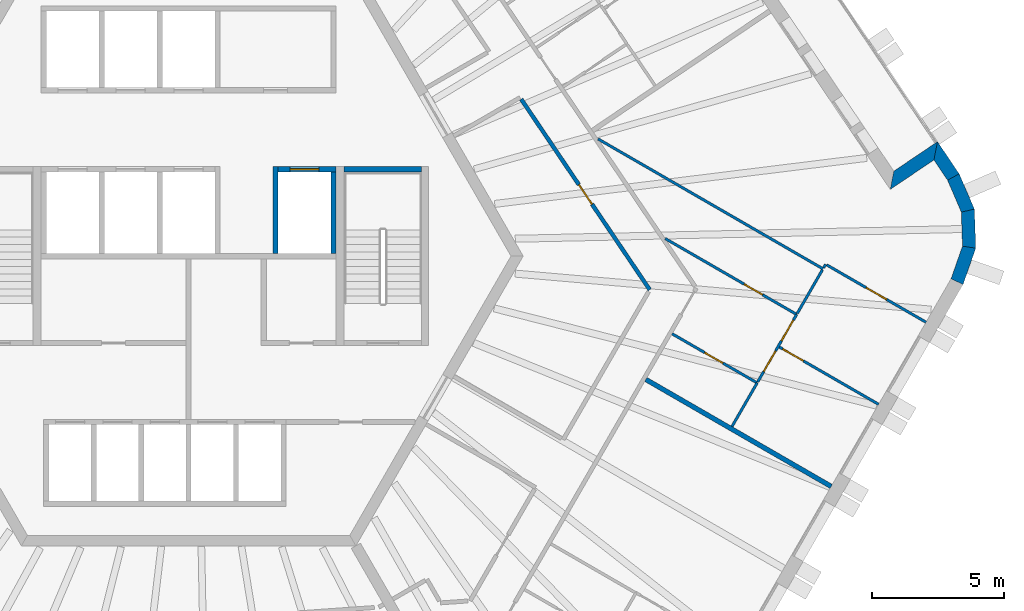
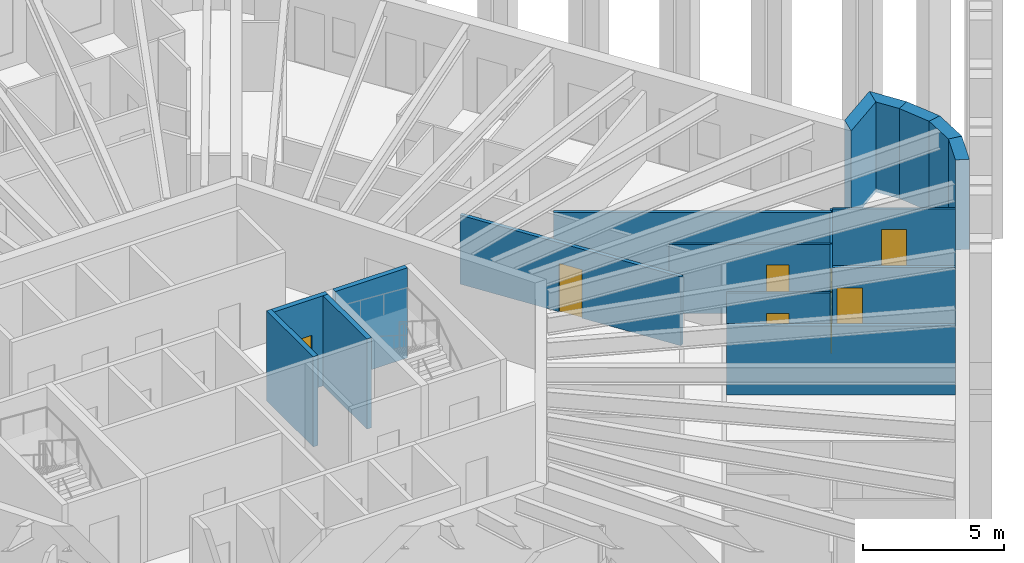
# One storey, part 7 of 13: 20 walls, 8 doors, 8 openings.
"""IFC4 building model written with IfcOpenShell, lengths in metres."""

from ifc_helpers import new_model, si_unit, direction, frame, frame_2d, origin, place, context, subcontext, project, spatial, polyline, rectangle, outline, extrude, material, layer, layer_set, type_object, element, fill, save


model = new_model("IFC4")

# Units and contexts
model_context = context("Model", 3, precision=1e-05, world=origin(), true_north=direction((0.0, 1.0)))
body_context = subcontext(model_context, "Body", "Model", "MODEL_VIEW")
ifc_project = project(units=[si_unit("LENGTHUNIT", "METRE"), si_unit("AREAUNIT", "SQUARE_METRE"), si_unit("VOLUMEUNIT", "CUBIC_METRE"), si_unit("PLANEANGLEUNIT", "RADIAN"), si_unit("MASSUNIT", "GRAM", prefix="KILO")], contexts=[model_context])

# Site, building, storey
site_placement = place(None, origin())
site = spatial("IfcSite", under=ifc_project, at=site_placement, CompositionType="ELEMENT")
building_placement = place(site_placement, origin())
building = spatial("IfcBuilding", under=site, at=building_placement, Name="Tarnside Tower", CompositionType="ELEMENT")
storey_placement = place(building_placement, frame((0.0, 0.0, 279.60009765625)))
storey = spatial("IfcBuildingStorey", under=building, at=storey_placement, Name="L67", CompositionType="ELEMENT", Elevation=279.60009765625)

# Wall
ifc_material_1 = material(Name="Gypsum board partition on steel studs", Category="steel")
ifc_layer_1 = layer(ifc_material_1, 0.10009765625)
ifc_layer_set_1 = layer_set([ifc_layer_1], Name="Bathroom wall 100")
wall_type_1 = type_object("IfcWallType", Name="Bathroom wall 100", PredefinedType="PARTITIONING", material=ifc_layer_set_1)
wall_1_placement = place(storey_placement, frame((15.54541015625, 4.447998046875, 0.0), z_axis=(0.0, 0.0, 1.0), x_axis=(0.866022320763, -0.500005339912, 0.0)))
element("IfcWall", 1, at=wall_1_placement, inside=storey, type_object=wall_type_1, Name="Bathroom wall 22157", PredefinedType="PARTITIONING", context=body_context, shape_type="SweptSolid", body=[
    extrude(rectangle(XDim=9.861328125, YDim=0.10009765625, at=frame_2d((4.9306640625, 0.0))), origin(), (0.0, 0.0, 1.0), 2.98779296875),
])

# Wall, opening, door
wall_2_placement = place(storey_placement, frame((18.359619140625, -2.9501953125, 0.0), z_axis=(0.0, 0.0, 1.0), x_axis=(0.866012039196, -0.500023147432, 0.0)))
wall_2 = element("IfcWall", 2, at=wall_2_placement, inside=storey, type_object=wall_type_1, Name="Bathroom wall 22160", PredefinedType="PARTITIONING", context=body_context, shape_type="SweptSolid", body=[
    extrude(rectangle(XDim=3.724853515625, YDim=0.10009765625, at=frame_2d((1.8623046875, 0.0))), origin(), (0.0, 0.0, 1.0), 2.98779296875),
])
opening_1_placement = place(wall_2_placement, frame((1.425048828125, 0.0, 0.0)))
opening_1 = element("IfcOpeningElement", 3, at=opening_1_placement, cuts=wall_2, Name="Opening D-B1", PredefinedType="OPENING", context=body_context, shape_type="SweptSolid", body=[
    extrude(rectangle(XDim=0.800048828125, YDim=2.10009765625, at=frame_2d((0.39990234375, 1.050048828125))), frame((0.0, 0.06005859375, 0.0), z_axis=(0.0, -1.0, 0.0), x_axis=(1.0, 0.0, 0.0)), (0.0, 0.0, 1.0), 0.1201171875),
])
ifc_material_2 = material(Name="Timber door leaf", Category="wood")
door_type_1 = type_object("IfcDoorType", Name="Bathroom door 800", OperationType="NOTDEFINED", PredefinedType="DOOR", material=ifc_material_2)
door_1_placement = place(opening_1_placement, origin())
door_1 = element("IfcDoor", 4, at=door_1_placement, inside=storey, type_object=door_type_1, Name="Bathroom door 22066", OperationType="SINGLE_SWING_RIGHT", OverallHeight=2.10009765625, OverallWidth=0.800048828125, PredefinedType="DOOR", context=body_context, shape_type="SweptSolid", body=[
    extrude(rectangle(XDim=0.800048828125, YDim=2.10009765625, at=frame_2d((0.39990234375, 1.050048828125))), frame((0.0, 0.02490234375, 0.0), z_axis=(0.0, -1.0, 0.0), x_axis=(1.0, 0.0, 0.0)), (0.0, 0.0, 1.0), 0.050048828125),
])
fill(opening_1, door_1)

wall_3_placement = place(storey_placement, frame((23.08544921875, -2.214599609375, 0.0), z_axis=(0.0, 0.0, 1.0), x_axis=(-0.866017611601, 0.500013496215, 0.0)))
wall_3 = element("IfcWall", 5, at=wall_3_placement, inside=storey, type_object=wall_type_1, Name="Bathroom wall 22163", PredefinedType="PARTITIONING", context=body_context, shape_type="SweptSolid", body=[
    extrude(rectangle(XDim=5.760498046875, YDim=0.10009765625, at=frame_2d((2.88037109375, 0.0))), origin(), (0.0, 0.0, 1.0), 2.98779296875),
])
opening_2_placement = place(wall_3_placement, frame((1.5, 0.0, 0.0)))
opening_2 = element("IfcOpeningElement", 6, at=opening_2_placement, cuts=wall_3, Name="Opening D-B1", PredefinedType="OPENING", context=body_context, shape_type="SweptSolid", body=[
    extrude(rectangle(XDim=0.800048828125, YDim=2.10009765625, at=frame_2d((0.39990234375, 1.050048828125))), frame((0.0, 0.06005859375, 0.0), z_axis=(0.0, -1.0, 0.0), x_axis=(1.0, 0.0, 0.0)), (0.0, 0.0, 1.0), 0.1201171875),
])
door_2_placement = place(opening_2_placement, origin())
door_2 = element("IfcDoor", 7, at=door_2_placement, inside=storey, type_object=door_type_1, Name="Bathroom door 22073", OperationType="SINGLE_SWING_RIGHT", OverallHeight=2.10009765625, OverallWidth=0.800048828125, PredefinedType="DOOR", context=body_context, shape_type="SweptSolid", body=[
    extrude(rectangle(XDim=0.800048828125, YDim=2.10009765625, at=frame_2d((0.39990234375, 1.050048828125))), frame((0.0, 0.02490234375, 0.0), z_axis=(0.0, -1.0, 0.0), x_axis=(1.0, 0.0, 0.0)), (0.0, 0.0, 1.0), 0.050048828125),
])
fill(opening_2, door_2)

# Walls
wall_4_placement = place(storey_placement, frame((20.630615234375, -6.466796875, 0.0), z_axis=(0.0, 0.0, 1.0), x_axis=(0.49994353734, 0.866058000062, 0.0)))
element("IfcWall", 8, at=wall_4_placement, inside=storey, type_object=wall_type_1, Name="Bathroom wall 22164", PredefinedType="PARTITIONING", context=body_context, shape_type="SweptSolid", body=[
    extrude(rectangle(XDim=1.911865234375, YDim=0.10009765625, at=frame_2d((0.9560546875, 0.0))), origin(), (0.0, 0.0, 1.0), 2.98779296875),
])
wall_5_placement = place(storey_placement, frame((24.060546875, -0.52587890625, 0.0), z_axis=(0.0, 0.0, 1.0), x_axis=(-0.499967155389, -0.866044365799, 0.0)))
element("IfcWall", 9, at=wall_5_placement, inside=storey, type_object=wall_type_1, Name="Bathroom wall 22166", PredefinedType="PARTITIONING", context=body_context, shape_type="SweptSolid", body=[
    extrude(rectangle(XDim=1.900146484375, YDim=0.10009765625, at=frame_2d((0.9501953125, 0.0))), origin(), (0.0, 0.0, 1.0), 2.98779296875),
])

# Wall, opening, door
ifc_layer_2 = layer(ifc_material_1, 0.14990234375)
ifc_layer_set_2 = layer_set([ifc_layer_2], Name="Corridor wall 150 EI 60")
wall_type_2 = type_object("IfcWallType", Name="Corridor wall 150 EI 60", PredefinedType="PARTITIONING", material=ifc_layer_set_2)
wall_6_placement = place(storey_placement, frame((12.627197265625, 5.9580078125, 0.0), z_axis=(0.0, 0.0, 1.0), x_axis=(0.559185493191, -0.829042570804, 0.0)))
wall_6 = element("IfcWall", 10, at=wall_6_placement, inside=storey, type_object=wall_type_2, Name="Corridor wall 22073", PredefinedType="PARTITIONING", context=body_context, shape_type="SweptSolid", body=[
    extrude(rectangle(XDim=8.726806640625, YDim=0.14990234375, at=frame_2d((4.36328125, 0.0))), origin(), (0.0, 0.0, 1.0), 2.98779296875),
])
opening_3_placement = place(wall_6_placement, frame((3.913330078125, 0.0, 0.0)))
opening_3 = element("IfcOpeningElement", 11, at=opening_3_placement, cuts=wall_6, Name="Opening D-S1", PredefinedType="OPENING", context=body_context, shape_type="SweptSolid", body=[
    extrude(rectangle(XDim=0.89990234375, YDim=2.10009765625, at=frame_2d((0.449951171875, 1.050048828125))), frame((0.0, 0.0849609375, 0.0), z_axis=(0.0, -1.0, 0.0), x_axis=(1.0, 0.0, 0.0)), (0.0, 0.0, 1.0), 0.169921875),
])
door_type_2 = type_object("IfcDoorType", Name="Service room door 900 FD30S", OperationType="NOTDEFINED", PredefinedType="DOOR", material=ifc_material_2)
door_3_placement = place(opening_3_placement, origin())
door_3 = element("IfcDoor", 12, at=door_3_placement, inside=storey, type_object=door_type_2, Name="Service door 22090", OperationType="SINGLE_SWING_RIGHT", OverallHeight=2.10009765625, OverallWidth=0.89990234375, PredefinedType="DOOR", context=body_context, shape_type="SweptSolid", body=[
    extrude(rectangle(XDim=0.89990234375, YDim=2.10009765625, at=frame_2d((0.449951171875, 1.050048828125))), frame((0.0, 0.02490234375, 0.0), z_axis=(0.0, -1.0, 0.0), x_axis=(1.0, 0.0, 0.0)), (0.0, 0.0, 1.0), 0.050048828125),
])
fill(opening_3, door_3)

# Wall
ifc_layer_3 = layer(ifc_material_1, 0.179931640625)
ifc_layer_set_3 = layer_set([ifc_layer_3], Name="Demising wall 180 EI 60")
wall_type_3 = type_object("IfcWallType", Name="Demising wall 180 EI 60", PredefinedType="PARTITIONING", material=ifc_layer_set_3)
wall_7_placement = place(storey_placement, frame((24.39599609375, -8.744873046875, 0.0), z_axis=(0.0, 0.0, 1.0), x_axis=(-0.866022959057, 0.500004234368, 0.0)))
element("IfcWall", 13, at=wall_7_placement, inside=storey, type_object=wall_type_3, Name="Demising wall 22148", PredefinedType="PARTITIONING", context=body_context, shape_type="SweptSolid", body=[
    extrude(rectangle(XDim=8.125, YDim=0.179931640625, at=frame_2d((4.0625, 0.0))), origin(), (0.0, 0.0, 1.0), 2.98779296875),
])

# Wall, opening, door
ifc_material_3 = material(Name="Concrete C40/50", Category="concrete")
ifc_layer_4 = layer(ifc_material_3, 0.199951171875)
ifc_layer_set_4 = layer_set([ifc_layer_4], Name="Lift shaft wall 200 C40/50")
wall_type_4 = type_object("IfcWallType", Name="Lift shaft wall 200 C40/50", PredefinedType="SHEAR", material=ifc_layer_set_4)
wall_8_placement = place(storey_placement, frame((3.39990234375, 3.300048828125, -0.25), z_axis=(0.0, 0.0, 1.0), x_axis=(1.0, 0.0, 0.0)))
wall_8 = element("IfcWall", 14, at=wall_8_placement, inside=storey, type_object=wall_type_4, Name="L67 lift shaft front wall R2 2", PredefinedType="SHEAR", context=body_context, shape_type="SweptSolid", body=[
    extrude(rectangle(XDim=2.2001953125, YDim=0.199951171875, at=frame_2d((1.10009765625, 0.0))), origin(), (0.0, 0.0, 1.0), 3.89990234375),
])
opening_4_placement = place(wall_8_placement, frame((0.449951171875, 0.0, 0.25)))
opening_4 = element("IfcOpeningElement", 15, at=opening_4_placement, cuts=wall_8, Name="Opening LD", PredefinedType="OPENING", context=body_context, shape_type="SweptSolid", body=[
    extrude(rectangle(XDim=1.10009765625, YDim=2.10009765625, at=frame_2d((0.550048828125, 1.050048828125))), frame((0.0, 0.10986328125, 0.0), z_axis=(0.0, -1.0, 0.0), x_axis=(1.0, 0.0, 0.0)), (0.0, 0.0, 1.0), 0.219970703125),
])
ifc_material_4 = material(Name="Stainless steel", Category="steel")
door_type_3 = type_object("IfcDoorType", Name="Lift landing door 1100x2100", OperationType="NOTDEFINED", PredefinedType="DOOR", material=ifc_material_4)
door_4_placement = place(opening_4_placement, origin())
door_4 = element("IfcDoor", 16, at=door_4_placement, inside=storey, type_object=door_type_3, Name="Express sky-lobby shuttle 2 landing door L67", OperationType="SLIDING_TO_LEFT", OverallHeight=2.10009765625, OverallWidth=1.10009765625, PredefinedType="DOOR", context=body_context, shape_type="SweptSolid", body=[
    extrude(rectangle(XDim=1.10009765625, YDim=2.10009765625, at=frame_2d((0.550048828125, 1.050048828125))), frame((0.0, 0.02490234375, 0.0), z_axis=(0.0, -1.0, 0.0), x_axis=(1.0, 0.0, 0.0)), (0.0, 0.0, 1.0), 0.050048828125),
])
fill(opening_4, door_4)

# Walls
wall_9_placement = place(storey_placement, frame((3.300048828125, 0.10009765625, -0.25), z_axis=(0.0, 0.0, 1.0), x_axis=(0.0, 1.0, 0.0)))
element("IfcWall", 17, at=wall_9_placement, inside=storey, type_object=wall_type_4, Name="L67 lift shaft partition R25", PredefinedType="SHEAR", context=body_context, shape_type="SweptSolid", body=[
    extrude(rectangle(XDim=3.2998046875, YDim=0.199951171875, at=frame_2d((1.64990234375, 0.0))), origin(), (0.0, 0.0, 1.0), 3.89990234375),
])
wall_10_placement = place(storey_placement, frame((5.5, 0.10009765625, -0.25), z_axis=(0.0, 0.0, 1.0), x_axis=(0.0, 1.0, 0.0)))
element("IfcWall", 18, at=wall_10_placement, inside=storey, type_object=wall_type_4, Name="L67 lift shaft partition R26", PredefinedType="SHEAR", context=body_context, shape_type="SweptSolid", body=[
    extrude(rectangle(XDim=3.099853515625, YDim=0.199951171875, at=frame_2d((1.5498046875, 0.0))), origin(), (0.0, 0.0, 1.0), 3.89990234375),
])
wall_11_placement = place(storey_placement, frame((5.89990234375, 3.300048828125, -0.25), z_axis=(0.0, 0.0, 1.0), x_axis=(1.0, 0.0, 0.0)))
element("IfcWall", 19, at=wall_11_placement, inside=storey, type_object=wall_type_4, Name="L67 stair 1 enclosure cap wall n", PredefinedType="SHEAR", context=body_context, shape_type="SweptSolid", body=[
    extrude(rectangle(XDim=2.9501953125, YDim=0.199951171875, at=frame_2d((1.47509765625, 0.0))), origin(), (0.0, 0.0, 1.0), 3.89990234375),
])
ifc_material_5 = material(Name="Dark zinc cladding")
ifc_layer_5 = layer(ifc_material_5, 0.10205078125)
ifc_material_6 = material(Name="Concrete C60/75 precast", Category="concrete")
ifc_layer_6 = layer(ifc_material_6, 0.298095703125)
ifc_material_7 = material(Name="Mineral wool insulation")
ifc_layer_7 = layer(ifc_material_7, 0.10009765625)
ifc_layer_set_5 = layer_set([ifc_layer_5, ifc_layer_6, ifc_layer_7], Name="Loggia wall 500 zinc faced")
wall_type_5 = type_object("IfcWallType", Name="Loggia wall 500 zinc faced", PredefinedType="SOLIDWALL", material=ifc_layer_set_5)
wall_12_placement = place(storey_placement, frame((29.034912109375, 3.00244140625, -0.150146484375), z_axis=(0.0, 0.0, 1.0), x_axis=(-0.559200218553, 0.829032638423, 0.0)))
element("IfcWall", 20, at=wall_12_placement, inside=storey, type_object=wall_type_5, Name="Tube wall L67 F6 stub 28", PredefinedType="SOLIDWALL", context=body_context, shape_type="SweptSolid", body=[
    extrude(outline(polyline([(-0.0234375, -0.25), (1.44970703125, -0.25), (0.94970703125, 0.25), (0.0234375, 0.25), (-0.0234375, -0.25)])), origin(), (0.0, 0.0, 1.0), 3.900146484375),
])
wall_13_placement = place(storey_placement, frame((28.364013671875, 3.9970703125, -0.150146484375), z_axis=(0.0, 0.0, 1.0), x_axis=(-0.829108975345, -0.5590870299, 0.0)))
element("IfcWall", 21, at=wall_13_placement, inside=storey, type_object=wall_type_5, Name="Tube wall L67 F6 return 29", PredefinedType="SOLIDWALL", context=body_context, shape_type="SweptSolid", body=[
    extrude(outline(polyline([(-0.25, -0.25), (1.75, -0.25), (2.25, 0.25), (0.25, 0.25), (-0.25, -0.25)])), origin(), (0.0, 0.0, 1.0), 3.900146484375),
])
ifc_layer_8 = layer(ifc_material_1, 0.10009765625)
ifc_layer_set_6 = layer_set([ifc_layer_8], Name="Partition 100")
wall_type_6 = type_object("IfcWallType", Name="Partition 100", PredefinedType="PARTITIONING", material=ifc_layer_set_6)
wall_14_placement = place(storey_placement, frame((24.109619140625, -0.441162109375, 0.0), z_axis=(0.0, 0.0, 1.0), x_axis=(0.499074005857, 0.866559367082, 0.0)))
element("IfcWall", 22, at=wall_14_placement, inside=storey, type_object=wall_type_6, Name="Partition wall 22155", PredefinedType="PARTITIONING", context=body_context, shape_type="SweptSolid", body=[
    extrude(rectangle(XDim=0.152099609375, YDim=0.10009765625, at=frame_2d((0.076171875, 0.0))), origin(), (0.0, 0.0, 1.0), 2.98779296875),
])

# Wall, opening, door
wall_15_placement = place(storey_placement, frame((24.228759765625, -0.33447265625, 0.0), z_axis=(0.0, 0.0, 1.0), x_axis=(0.866027639635, -0.499996127374, 0.0)))
wall_15 = element("IfcWall", 23, at=wall_15_placement, inside=storey, type_object=wall_type_6, Name="Partition wall 22156", PredefinedType="PARTITIONING", context=body_context, shape_type="SweptSolid", body=[
    extrude(rectangle(XDim=4.35009765625, YDim=0.10009765625, at=frame_2d((2.175048828125, 0.0))), origin(), (0.0, 0.0, 1.0), 2.98779296875),
])
opening_5_placement = place(wall_15_placement, frame((1.72509765625, 0.0, 0.0)))
opening_5 = element("IfcOpeningElement", 24, at=opening_5_placement, cuts=wall_15, Name="Opening D-I1", PredefinedType="OPENING", context=body_context, shape_type="SweptSolid", body=[
    extrude(rectangle(XDim=0.89990234375, YDim=2.10009765625, at=frame_2d((0.449951171875, 1.050048828125))), frame((0.0, 0.06005859375, 0.0), z_axis=(0.0, -1.0, 0.0), x_axis=(1.0, 0.0, 0.0)), (0.0, 0.0, 1.0), 0.1201171875),
])
door_type_4 = type_object("IfcDoorType", Name="Internal door 900", OperationType="NOTDEFINED", PredefinedType="DOOR", material=ifc_material_2)
door_5_placement = place(opening_5_placement, origin())
door_5 = element("IfcDoor", 25, at=door_5_placement, inside=storey, type_object=door_type_4, Name="Internal door 22085", OperationType="SINGLE_SWING_RIGHT", OverallHeight=2.10009765625, OverallWidth=0.89990234375, PredefinedType="DOOR", context=body_context, shape_type="SweptSolid", body=[
    extrude(rectangle(XDim=0.89990234375, YDim=2.10009765625, at=frame_2d((0.449951171875, 1.050048828125))), frame((0.0, 0.02490234375, 0.0), z_axis=(0.0, -1.0, 0.0), x_axis=(1.0, 0.0, 0.0)), (0.0, 0.0, 1.0), 0.050048828125),
])
fill(opening_5, door_5)

# Wall, openings, doors
wall_16_placement = place(storey_placement, frame((21.609619140625, -4.771240234375, 0.0), z_axis=(0.0, 0.0, 1.0), x_axis=(0.499934698534, 0.866063102321, 0.0)))
wall_16 = element("IfcWall", 26, at=wall_16_placement, inside=storey, type_object=wall_type_6, Name="Partition wall 22161", PredefinedType="PARTITIONING", context=body_context, shape_type="SweptSolid", body=[
    extrude(rectangle(XDim=2.9541015625, YDim=0.10009765625, at=frame_2d((1.47705078125, 0.0))), origin(), (0.0, 0.0, 1.0), 2.98779296875),
])
opening_6_placement = place(wall_16_placement, frame((0.451904296875, 0.0, 0.0)))
opening_6 = element("IfcOpeningElement", 27, at=opening_6_placement, cuts=wall_16, Name="Opening D-I1", PredefinedType="OPENING", context=body_context, shape_type="SweptSolid", body=[
    extrude(rectangle(XDim=0.89990234375, YDim=2.10009765625, at=frame_2d((0.449951171875, 1.050048828125))), frame((0.0, 0.06005859375, 0.0), z_axis=(0.0, -1.0, 0.0), x_axis=(1.0, 0.0, 0.0)), (0.0, 0.0, 1.0), 0.1201171875),
])
opening_7_placement = place(wall_16_placement, frame((1.802001953125, 0.0, 0.0)))
opening_7 = element("IfcOpeningElement", 28, at=opening_7_placement, cuts=wall_16, Name="Opening D-I1", PredefinedType="OPENING", context=body_context, shape_type="SweptSolid", body=[
    extrude(rectangle(XDim=0.89990234375, YDim=2.10009765625, at=frame_2d((0.449951171875, 1.050048828125))), frame((0.0, 0.06005859375, 0.0), z_axis=(0.0, -1.0, 0.0), x_axis=(1.0, 0.0, 0.0)), (0.0, 0.0, 1.0), 0.1201171875),
])
door_6_placement = place(opening_6_placement, origin())
door_6 = element("IfcDoor", 29, at=door_6_placement, inside=storey, type_object=door_type_4, Name="Internal door 22068", OperationType="SINGLE_SWING_LEFT", OverallHeight=2.10009765625, OverallWidth=0.89990234375, PredefinedType="DOOR", context=body_context, shape_type="SweptSolid", body=[
    extrude(rectangle(XDim=0.89990234375, YDim=2.10009765625, at=frame_2d((0.449951171875, 1.050048828125))), frame((0.0, 0.02490234375, 0.0), z_axis=(0.0, -1.0, 0.0), x_axis=(1.0, 0.0, 0.0)), (0.0, 0.0, 1.0), 0.050048828125),
])
fill(opening_6, door_6)
door_7_placement = place(opening_7_placement, origin())
door_7 = element("IfcDoor", 30, at=door_7_placement, inside=storey, type_object=door_type_4, Name="Internal door 22072", OperationType="SINGLE_SWING_LEFT", OverallHeight=2.10009765625, OverallWidth=0.89990234375, PredefinedType="DOOR", context=body_context, shape_type="SweptSolid", body=[
    extrude(rectangle(XDim=0.89990234375, YDim=2.10009765625, at=frame_2d((0.449951171875, 1.050048828125))), frame((0.0, 0.02490234375, 0.0), z_axis=(0.0, -1.0, 0.0), x_axis=(1.0, 0.0, 0.0)), (0.0, 0.0, 1.0), 0.050048828125),
])
fill(opening_7, door_7)

# Wall, opening, door
wall_17_placement = place(storey_placement, frame((26.196044921875, -5.627197265625, 0.0), z_axis=(0.0, 0.0, 1.0), x_axis=(-0.866013608182, 0.500020430026, 0.0)))
wall_17 = element("IfcWall", 31, at=wall_17_placement, inside=storey, type_object=wall_type_6, Name="Partition wall 22165", PredefinedType="PARTITIONING", context=body_context, shape_type="SweptSolid", body=[
    extrude(rectangle(XDim=4.349853515625, YDim=0.10009765625, at=frame_2d((2.1748046875, 0.0))), origin(), (0.0, 0.0, 1.0), 2.98779296875),
])
opening_8_placement = place(wall_17_placement, frame((3.300048828125, 0.0, 0.0)))
opening_8 = element("IfcOpeningElement", 32, at=opening_8_placement, cuts=wall_17, Name="Opening D-I1", PredefinedType="OPENING", context=body_context, shape_type="SweptSolid", body=[
    extrude(rectangle(XDim=0.89990234375, YDim=2.10009765625, at=frame_2d((0.449951171875, 1.050048828125))), frame((0.0, 0.06005859375, 0.0), z_axis=(0.0, -1.0, 0.0), x_axis=(1.0, 0.0, 0.0)), (0.0, 0.0, 1.0), 0.1201171875),
])
door_8_placement = place(opening_8_placement, origin())
door_8 = element("IfcDoor", 33, at=door_8_placement, inside=storey, type_object=door_type_4, Name="Internal door 22071", OperationType="SINGLE_SWING_RIGHT", OverallHeight=2.10009765625, OverallWidth=0.89990234375, PredefinedType="DOOR", context=body_context, shape_type="SweptSolid", body=[
    extrude(rectangle(XDim=0.89990234375, YDim=2.10009765625, at=frame_2d((0.449951171875, 1.050048828125))), frame((0.0, 0.02490234375, 0.0), z_axis=(0.0, -1.0, 0.0), x_axis=(1.0, 0.0, 0.0)), (0.0, 0.0, 1.0), 0.050048828125),
])
fill(opening_8, door_8)

# Walls
ifc_material_8 = material(Name="Facing brick", Category="masonry")
ifc_layer_9 = layer(ifc_material_8, 0.10205078125)
ifc_layer_10 = layer(ifc_material_6, 0.298095703125)
ifc_layer_11 = layer(ifc_material_7, 0.10009765625)
ifc_layer_set_7 = layer_set([ifc_layer_9, ifc_layer_10, ifc_layer_11], Name="Tube wall 500 brick faced")
wall_type_7 = type_object("IfcWallType", Name="Tube wall 500 brick faced", PredefinedType="SOLIDWALL", material=ifc_layer_set_7)
wall_18_placement = place(storey_placement, frame((29.173828125, -0.9697265625, -0.150146484375), z_axis=(0.0, 0.0, 1.0), x_axis=(0.330961348063, 0.943644311215, 0.0)))
element("IfcWall", 34, at=wall_18_placement, inside=storey, type_object=wall_type_7, Name="Tube wall L67 F5 chord 25", PredefinedType="SOLIDWALL", context=body_context, shape_type="SweptSolid", body=[
    extrude(outline(polyline([(-0.0234375, -0.25), (1.435302734375, -0.25), (1.341064453125, 0.25), (0.0234375, 0.25), (-0.0234375, -0.25)])), origin(), (0.0, 0.0, 1.0), 3.900146484375),
])
wall_19_placement = place(storey_placement, frame((29.63330078125, 0.34033203125, -0.150146484375), z_axis=(0.0, 0.0, 1.0), x_axis=(-0.034825746769, 0.999393399699, 0.0)))
element("IfcWall", 35, at=wall_19_placement, inside=storey, type_object=wall_type_7, Name="Tube wall L67 F5 chord 26", PredefinedType="SOLIDWALL", context=body_context, shape_type="SweptSolid", body=[
    extrude(outline(polyline([(-0.047119140625, -0.25), (1.43505859375, -0.25), (1.3408203125, 0.25), (0.047119140625, 0.25), (-0.047119140625, -0.25)])), origin(), (0.0, 0.0, 1.0), 3.900146484375),
])
wall_20_placement = place(storey_placement, frame((29.5849609375, 1.7275390625, -0.150146484375), z_axis=(0.0, 0.0, 1.0), x_axis=(-0.396146339195, 0.918187387162, 0.0)))
element("IfcWall", 36, at=wall_20_placement, inside=storey, type_object=wall_type_7, Name="Tube wall L67 F5 chord 27", PredefinedType="SOLIDWALL", context=body_context, shape_type="SweptSolid", body=[
    extrude(outline(polyline([(-0.047119140625, -0.25), (1.411865234375, -0.25), (1.364990234375, 0.25), (0.047119140625, 0.25), (-0.047119140625, -0.25)])), origin(), (0.0, 0.0, 1.0), 3.900146484375),
])

save(model, "model.ifc")
